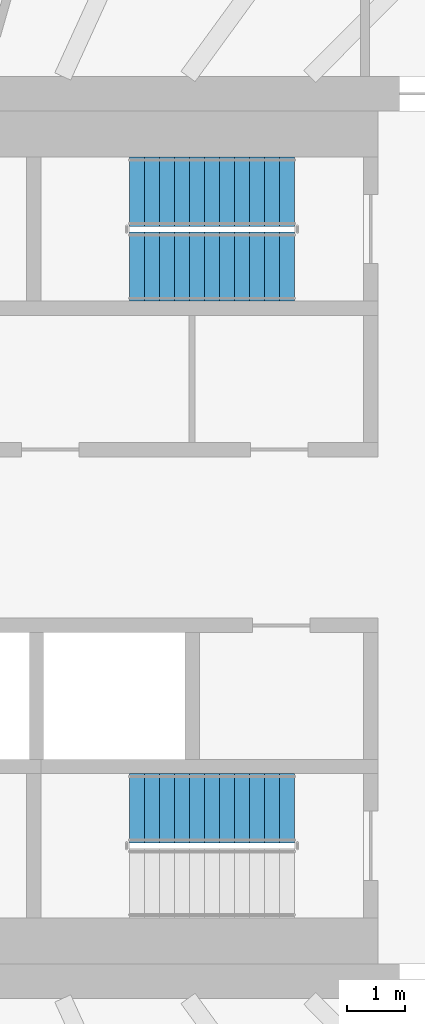
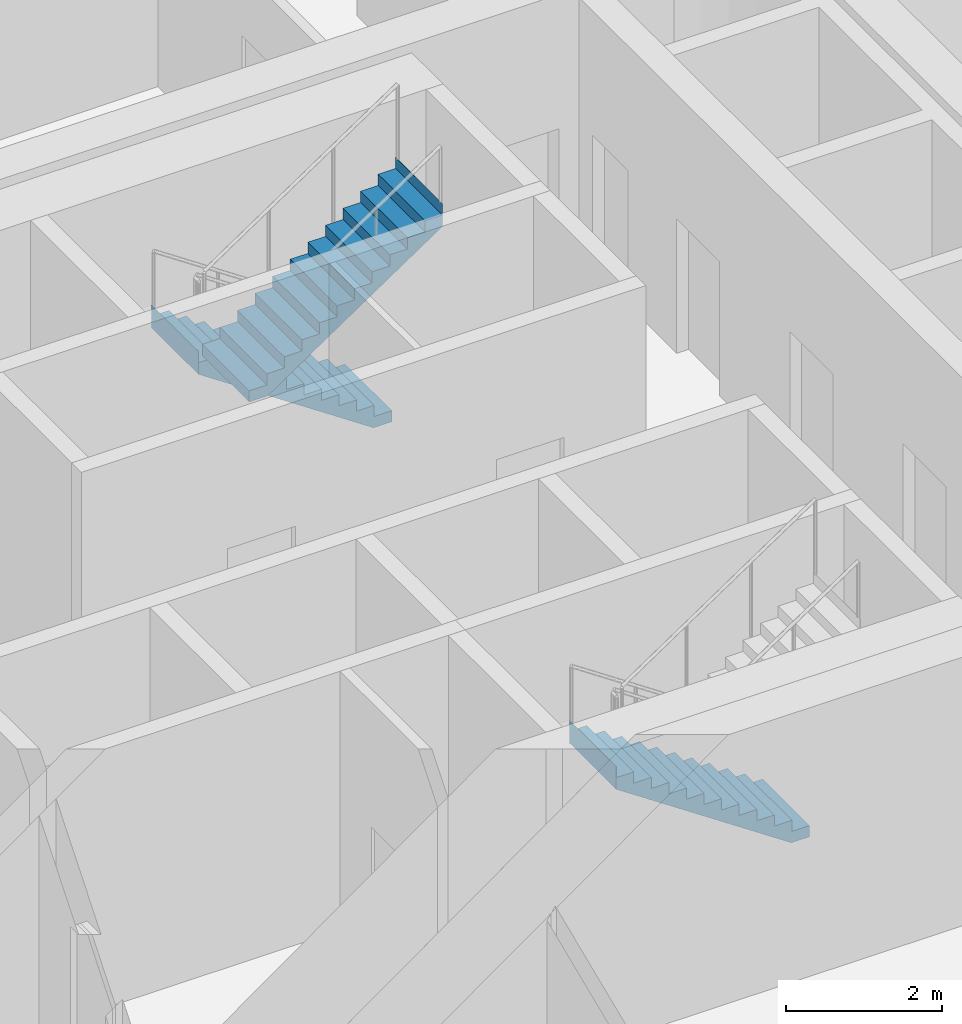
# One storey, part 19 of 25: 3 stair flights, 2 elements without a shape of their own.
"""IFC4 building model written with IfcOpenShell, lengths in metres."""

import ifcopenshell
import ifcopenshell.guid

model = None  # the IFC model being written
_history = None  # IfcOwnerHistory: only IFC2X3 demands one
_inside = {}  # id of a spatial element -> (the spatial element, [elements in it])
_under = {}  # id of a project, library or spatial element -> (it, [spatial elements below it])
_declared = {}  # id of a project -> (the project, [libraries it declares])
_typed = {}  # id of a type object -> (the type object, [elements of that type])
_made_of = {}  # id of a material, layer set ... -> (it, [elements and type objects made of it])


def new_model(schema):
    """Start an empty IFC model of exactly this schema.

    Asked for "IFC4X3", IfcOpenShell would pick the latest addendum, in which some entities
    have other attributes; the version numbers below select the first issue.
    IFC2X3 requires an IfcOwnerHistory on every rooted entity: one is made here for all.
    """
    global model, _history
    if schema == "IFC4X3":
        model = ifcopenshell.file(schema_version=(4, 3, 0, 0))
    else:
        model = ifcopenshell.file(schema=schema)
    _inside.clear()
    _under.clear()
    _declared.clear()
    _typed.clear()
    _made_of.clear()
    _history = None
    if model.schema == "IFC2X3":
        org = make("IfcOrganization", Name="unknown")
        user = make(
            "IfcPersonAndOrganization",
            ThePerson=make("IfcPerson", FamilyName="unknown"),
            TheOrganization=org,
        )
        app = make(
            "IfcApplication",
            ApplicationDeveloper=org,
            Version="unknown",
            ApplicationFullName="unknown",
            ApplicationIdentifier="unknown",
        )
        _history = make(
            "IfcOwnerHistory",
            OwningUser=user,
            OwningApplication=app,
            ChangeAction="ADDED",
            CreationDate=0,
        )
    return model


def make(cls, **values):
    """One entity of the class cls with the attributes given. An attribute that is None is left unset."""
    return model.create_entity(
        cls, **{name: value for name, value in values.items() if value is not None}
    )


def rooted(cls, **values):
    """An entity with a GlobalId (a new one), such as an element, a storey or a relation."""
    return make(cls, GlobalId=ifcopenshell.guid.new(), OwnerHistory=_history, **values)


def si_unit(unit_type, name, prefix=None):
    """IfcSIUnit, for example si_unit("LENGTHUNIT", "METRE", prefix="MILLI")."""
    return make("IfcSIUnit", UnitType=unit_type, Prefix=prefix, Name=name)


def assignment(units):
    """IfcUnitAssignment: the units of a project."""
    return None if units is None else make("IfcUnitAssignment", Units=units)


def point(xyz):
    """IfcCartesianPoint."""
    return None if xyz is None else make("IfcCartesianPoint", Coordinates=xyz)


def direction(xyz):
    """IfcDirection."""
    return None if xyz is None else make("IfcDirection", DirectionRatios=xyz)


def frame(location, z_axis=None, x_axis=None):
    """IfcAxis2Placement3D, a coordinate frame: its origin and axes. An axis left out is left unset."""
    return make(
        "IfcAxis2Placement3D",
        Location=point(location),
        Axis=direction(z_axis),
        RefDirection=direction(x_axis),
    )


def origin():
    """The frame at (0, 0, 0) with its axes left unset."""
    return frame((0.0, 0.0, 0.0))


def place(relative_to, where):
    """IfcLocalPlacement: puts the frame where relative to a parent placement (None: the world)."""
    return make(
        "IfcLocalPlacement", PlacementRelTo=relative_to, RelativePlacement=where
    )


def context(
    kind, dimensions, precision=None, world=None, true_north=None, identifier=None
):
    """IfcGeometricRepresentationContext, for example the 3D "Model" context."""
    return make(
        "IfcGeometricRepresentationContext",
        ContextIdentifier=identifier,
        ContextType=kind,
        CoordinateSpaceDimension=dimensions,
        Precision=precision,
        WorldCoordinateSystem=world,
        TrueNorth=true_north,
    )


def subcontext(parent, identifier, kind, view, scale=None):
    """IfcGeometricRepresentationSubContext, for example "Body" below "Model"."""
    return make(
        "IfcGeometricRepresentationSubContext",
        ContextIdentifier=identifier,
        ContextType=kind,
        ParentContext=parent,
        TargetScale=scale,
        TargetView=view,
    )


def project(units=None, contexts=None):
    """IfcProject with its units and contexts."""
    return rooted(
        "IfcProject",
        Name="project",
        RepresentationContexts=contexts,
        UnitsInContext=assignment(units),
    )


def spatial(cls, under=None, at=None, **own):
    """A site, building, storey or space (cls), placed at a placement, below another one or the project."""
    s = rooted(cls, ObjectPlacement=at, **own)
    if under is not None:
        _under.setdefault(under.id(), (under, []))[1].append(s)
    return s


def point_list(points):
    """IfcCartesianPointList2D or 3D."""
    cls = (
        "IfcCartesianPointList2D" if len(points[0]) == 2 else "IfcCartesianPointList3D"
    )
    return make(cls, CoordList=points)


def triangles(points, corners, closed=None, point_numbers=None):
    """IfcTriangulatedFaceSet: each triangle names its three corners, points numbered from 1."""
    return make(
        "IfcTriangulatedFaceSet",
        Coordinates=point_list(points),
        Closed=closed,
        CoordIndex=corners,
        PnIndex=point_numbers,
    )


def shape(context_of_items, identifier, shape_type, items):
    """IfcShapeRepresentation: the items that make up one representation, for example the "Body"."""
    return make(
        "IfcShapeRepresentation",
        ContextOfItems=context_of_items,
        RepresentationIdentifier=identifier,
        RepresentationType=shape_type,
        Items=items,
    )


def material(Name=None, Category=None):
    """IfcMaterial."""
    return make("IfcMaterial", Name=Name, Category=Category)


def made_of(thing, what):
    """Note that an element or type object is made of a material, layer set ...; save() writes the relation."""
    if what is not None:
        _made_of.setdefault(what.id(), (what, []))[1].append(thing)
    return thing


def type_object(cls, material=None, **own):
    """A type object (cls), such as IfcWallType, which elements share."""
    return made_of(rooted(cls, **own), material)


def element(
    cls,
    number,
    at=None,
    inside=None,
    cuts=None,
    type_object=None,
    material=None,
    context=None,
    identifier="Body",
    shape_type=None,
    held_by="IfcProductDefinitionShape",
    body=None,
    shapes=None,
    **own,
):
    """One element of the class cls, such as IfcWall. Its Tag is "e" and its number.

    at: its placement. inside: the storey or other place that contains it. cuts: it is an
    opening in that element (IfcRelVoidsElement). A single representation is given by context,
    identifier, shape_type and body (its items); several are given by shapes. held_by: the class
    of the entity that holds the representations. save() writes the other relations.
    """
    e = rooted(cls, Tag="e%d" % number, ObjectPlacement=at, **own)
    if body is not None:
        shapes = [shape(context, identifier, shape_type, body)]
    if shapes is not None:
        e.Representation = make(held_by, Representations=shapes)
    if inside is not None:
        _inside.setdefault(inside.id(), (inside, []))[1].append(e)
    if cuts is not None:
        rooted(
            "IfcRelVoidsElement", RelatingBuildingElement=cuts, RelatedOpeningElement=e
        )
    if type_object is not None:
        _typed.setdefault(type_object.id(), (type_object, []))[1].append(e)
    return made_of(e, material)


def aggregate(whole, parts):
    """IfcRelAggregates: a whole, such as a stair, and the parts it consists of."""
    return rooted("IfcRelAggregates", RelatingObject=whole, RelatedObjects=parts)


def save(model, path):
    """Write the relations noted so far, then the file.

    IfcRelAggregates (storeys below a building ...), IfcRelContainedInSpatialStructure (elements
    in a storey), IfcRelDefinesByType, IfcRelAssociatesMaterial and IfcRelDeclares: one each for
    every whole, place, type object, material and project.
    """
    for whole, parts in _under.values():
        aggregate(whole, parts)
    for where, things in _inside.values():
        rooted(
            "IfcRelContainedInSpatialStructure",
            RelatedElements=things,
            RelatingStructure=where,
        )
    for kind, things in _typed.values():
        rooted("IfcRelDefinesByType", RelatedObjects=things, RelatingType=kind)
    for what, things in _made_of.values():
        rooted("IfcRelAssociatesMaterial", RelatedObjects=things, RelatingMaterial=what)
    for by, libraries in _declared.values():
        rooted("IfcRelDeclares", RelatingContext=by, RelatedDefinitions=libraries)
    model.write(path)


model = new_model("IFC4")

# Units and contexts
model_context = context("Model", 3, precision=1e-05, world=origin(), true_north=direction((0.0, 1.0)))
body_context = subcontext(model_context, "Body", "Model", "MODEL_VIEW")
ifc_project = project(units=[si_unit("LENGTHUNIT", "METRE"), si_unit("AREAUNIT", "SQUARE_METRE"), si_unit("VOLUMEUNIT", "CUBIC_METRE"), si_unit("PLANEANGLEUNIT", "RADIAN"), si_unit("MASSUNIT", "GRAM", prefix="KILO")], contexts=[model_context])

# Site, building, storey
site_placement = place(None, origin())
site = spatial("IfcSite", under=ifc_project, at=site_placement, CompositionType="ELEMENT")
building_placement = place(site_placement, origin())
building = spatial("IfcBuilding", under=site, at=building_placement, Name="Sahrelin Media Tower", CompositionType="ELEMENT")
storey_placement = place(building_placement, frame((0.0, 0.0, 63.0)))
storey = spatial("IfcBuildingStorey", under=building, at=storey_placement, Name="L10", CompositionType="ELEMENT", Elevation=63.0)

# Stair, stair flights
ifc_material = material(Name="Concrete C40/50", Category="concrete")
stair_type = type_object("IfcStairType", Name="Exit stair 1200", PredefinedType="HALF_TURN_STAIR", material=ifc_material)
placement = place(storey_placement, origin())
stair_1 = element("IfcStair", 1, at=placement, inside=storey, type_object=stair_type, Name="L10 Exit stair ST3", PredefinedType="HALF_TURN_STAIR")
stair_flight_type = type_object("IfcStairFlightType", Name="Stair flight 1200", PredefinedType="STRAIGHT", material=ifc_material)
stair_flight_1_placement = place(storey_placement, frame((7.675048828125, 6.0, 0.0), z_axis=(0.0, 0.0, 1.0), x_axis=(-1.0, 0.0, 0.0)))
stair_flight_1 = element("IfcStairFlight", 2, at=stair_flight_1_placement, type_object=stair_flight_type, Name="ST3 flight 1", NumberOfRisers=12, NumberOfTreads=11, PredefinedType="STRAIGHT", RiserHeight=0.175, TreadLength=0.26, context=body_context, shape_type="Tessellation", body=[
    triangles([(0.2685546875, 0.60009765625, 0.0), (0.2685546875, 0.300048828125, 0.0), (0.2685546875, 0.0, 0.0), (0.2685546875, -0.300048828125, 0.0), (0.2685546875, -0.60009765625, 0.0), (2.860107421875, 0.60009765625, 1.744384765625), (2.860107421875, 0.300048828125, 1.744384765625), (2.860107421875, 0.0, 1.744384765625), (2.860107421875, -0.300048828125, 1.744384765625), (2.860107421875, -0.60009765625, 1.744384765625), (2.860107421875, 0.60009765625, 2.10009765625), (2.860107421875, 0.300048828125, 2.10009765625), (2.860107421875, 0.0, 2.10009765625), (2.860107421875, -0.300048828125, 2.10009765625), (2.860107421875, -0.60009765625, 2.10009765625), (2.85791015625, 0.60009765625, 2.10009765625), (2.85791015625, 0.300048828125, 2.10009765625), (2.85791015625, 0.0, 2.10009765625), (2.85791015625, -0.300048828125, 2.10009765625), (2.85791015625, -0.60009765625, 2.10009765625), (2.85791015625, 0.60009765625, 1.925048828125), (2.85791015625, 0.300048828125, 1.925048828125), (2.85791015625, 0.0, 1.925048828125), (2.85791015625, -0.300048828125, 1.925048828125), (2.85791015625, -0.60009765625, 1.925048828125), (2.60009765625, 0.60009765625, 1.925048828125), (2.60009765625, 0.300048828125, 1.925048828125), (2.60009765625, 0.0, 1.925048828125), (2.60009765625, -0.300048828125, 1.925048828125), (2.60009765625, -0.60009765625, 1.925048828125), (2.60009765625, 0.60009765625, 1.75), (2.60009765625, 0.300048828125, 1.75), (2.60009765625, 0.0, 1.75), (2.60009765625, -0.300048828125, 1.75), (2.60009765625, -0.60009765625, 1.75), (2.340087890625, 0.60009765625, 1.75), (2.340087890625, 0.300048828125, 1.75), (2.340087890625, 0.0, 1.75), (2.340087890625, -0.300048828125, 1.75), (2.340087890625, -0.60009765625, 1.75), (2.340087890625, 0.60009765625, 1.574951171875), (2.340087890625, 0.300048828125, 1.574951171875), (2.340087890625, 0.0, 1.574951171875), (2.340087890625, -0.300048828125, 1.574951171875), (2.340087890625, -0.60009765625, 1.574951171875), (2.080078125, 0.60009765625, 1.574951171875), (2.080078125, 0.300048828125, 1.574951171875), (2.080078125, 0.0, 1.574951171875), (2.080078125, -0.300048828125, 1.574951171875), (2.080078125, -0.60009765625, 1.574951171875), (2.080078125, 0.60009765625, 1.39990234375), (2.080078125, 0.300048828125, 1.39990234375), (2.080078125, 0.0, 1.39990234375), (2.080078125, -0.300048828125, 1.39990234375), (2.080078125, -0.60009765625, 1.39990234375), (1.820068359375, 0.60009765625, 1.39990234375), (1.820068359375, 0.300048828125, 1.39990234375), (1.820068359375, 0.0, 1.39990234375), (1.820068359375, -0.300048828125, 1.39990234375), (1.820068359375, -0.60009765625, 1.39990234375), (1.820068359375, 0.60009765625, 1.22509765625), (1.820068359375, 0.300048828125, 1.22509765625), (1.820068359375, 0.0, 1.22509765625), (1.820068359375, -0.300048828125, 1.22509765625), (1.820068359375, -0.60009765625, 1.22509765625), (1.56005859375, 0.60009765625, 1.22509765625), (1.56005859375, 0.300048828125, 1.22509765625), (1.56005859375, 0.0, 1.22509765625), (1.56005859375, -0.300048828125, 1.22509765625), (1.56005859375, -0.60009765625, 1.22509765625), (1.56005859375, 0.60009765625, 1.050048828125), (1.56005859375, 0.300048828125, 1.050048828125), (1.56005859375, 0.0, 1.050048828125), (1.56005859375, -0.300048828125, 1.050048828125), (1.56005859375, -0.60009765625, 1.050048828125), (1.300048828125, 0.60009765625, 1.050048828125), (1.300048828125, 0.300048828125, 1.050048828125), (1.300048828125, 0.0, 1.050048828125), (1.300048828125, -0.300048828125, 1.050048828125), (1.300048828125, -0.60009765625, 1.050048828125), (1.300048828125, 0.60009765625, 0.875), (1.300048828125, 0.300048828125, 0.875), (1.300048828125, 0.0, 0.875), (1.300048828125, -0.300048828125, 0.875), (1.300048828125, -0.60009765625, 0.875), (1.0400390625, 0.60009765625, 0.875), (1.0400390625, 0.300048828125, 0.875), (1.0400390625, 0.0, 0.875), (1.0400390625, -0.300048828125, 0.875), (1.0400390625, -0.60009765625, 0.875), (1.0400390625, 0.60009765625, 0.699951171875), (1.0400390625, 0.300048828125, 0.699951171875), (1.0400390625, 0.0, 0.699951171875), (1.0400390625, -0.300048828125, 0.699951171875), (1.0400390625, -0.60009765625, 0.699951171875), (0.780029296875, 0.60009765625, 0.699951171875), (0.780029296875, 0.300048828125, 0.699951171875), (0.780029296875, 0.0, 0.699951171875), (0.780029296875, -0.300048828125, 0.699951171875), (0.780029296875, -0.60009765625, 0.699951171875), (0.780029296875, 0.60009765625, 0.52490234375), (0.780029296875, 0.300048828125, 0.52490234375), (0.780029296875, 0.0, 0.52490234375), (0.780029296875, -0.300048828125, 0.52490234375), (0.780029296875, -0.60009765625, 0.52490234375), (0.52001953125, 0.60009765625, 0.52490234375), (0.52001953125, 0.300048828125, 0.52490234375), (0.52001953125, 0.0, 0.52490234375), (0.52001953125, -0.300048828125, 0.52490234375), (0.52001953125, -0.60009765625, 0.52490234375), (0.52001953125, 0.60009765625, 0.35009765625), (0.52001953125, 0.300048828125, 0.35009765625), (0.52001953125, 0.0, 0.35009765625), (0.52001953125, -0.300048828125, 0.35009765625), (0.52001953125, -0.60009765625, 0.35009765625), (0.260009765625, 0.60009765625, 0.35009765625), (0.260009765625, 0.300048828125, 0.35009765625), (0.260009765625, 0.0, 0.35009765625), (0.260009765625, -0.300048828125, 0.35009765625), (0.260009765625, -0.60009765625, 0.35009765625), (0.260009765625, 0.60009765625, 0.175048828125), (0.260009765625, 0.300048828125, 0.175048828125), (0.260009765625, 0.0, 0.175048828125), (0.260009765625, -0.300048828125, 0.175048828125), (0.260009765625, -0.60009765625, 0.175048828125), (0.0, 0.60009765625, 0.175048828125), (0.0, 0.300048828125, 0.175048828125), (0.0, 0.0, 0.175048828125), (0.0, -0.300048828125, 0.175048828125), (0.0, -0.60009765625, 0.175048828125), (0.0, 0.60009765625, 0.0), (0.0, 0.300048828125, 0.0), (0.0, 0.0, 0.0), (0.0, -0.300048828125, 0.0), (0.0, -0.60009765625, 0.0)], [[1, 6, 7], [1, 7, 2], [2, 7, 8], [2, 8, 3], [3, 8, 9], [3, 9, 4], [4, 9, 10], [4, 10, 5], [6, 11, 12], [6, 12, 7], [7, 12, 13], [7, 13, 8], [8, 13, 14], [8, 14, 9], [9, 14, 15], [9, 15, 10], [11, 16, 17], [11, 17, 12], [12, 17, 18], [12, 18, 13], [13, 18, 19], [13, 19, 14], [14, 19, 20], [14, 20, 15], [16, 21, 22], [16, 22, 17], [17, 22, 23], [17, 23, 18], [18, 23, 24], [18, 24, 19], [19, 24, 25], [19, 25, 20], [21, 26, 27], [21, 27, 22], [22, 27, 28], [22, 28, 23], [23, 28, 29], [23, 29, 24], [24, 29, 30], [24, 30, 25], [26, 31, 32], [26, 32, 27], [27, 32, 33], [27, 33, 28], [28, 33, 34], [28, 34, 29], [29, 34, 35], [29, 35, 30], [31, 36, 37], [31, 37, 32], [32, 37, 38], [32, 38, 33], [33, 38, 39], [33, 39, 34], [34, 39, 40], [34, 40, 35], [36, 41, 42], [36, 42, 37], [37, 42, 43], [37, 43, 38], [38, 43, 44], [38, 44, 39], [39, 44, 45], [39, 45, 40], [41, 46, 47], [41, 47, 42], [42, 47, 48], [42, 48, 43], [43, 48, 49], [43, 49, 44], [44, 49, 50], [44, 50, 45], [46, 51, 52], [46, 52, 47], [47, 52, 53], [47, 53, 48], [48, 53, 54], [48, 54, 49], [49, 54, 55], [49, 55, 50], [51, 56, 57], [51, 57, 52], [52, 57, 58], [52, 58, 53], [53, 58, 59], [53, 59, 54], [54, 59, 60], [54, 60, 55], [56, 61, 62], [56, 62, 57], [57, 62, 63], [57, 63, 58], [58, 63, 64], [58, 64, 59], [59, 64, 65], [59, 65, 60], [61, 66, 67], [61, 67, 62], [62, 67, 68], [62, 68, 63], [63, 68, 69], [63, 69, 64], [64, 69, 70], [64, 70, 65], [66, 71, 72], [66, 72, 67], [67, 72, 73], [67, 73, 68], [68, 73, 74], [68, 74, 69], [69, 74, 75], [69, 75, 70], [71, 76, 77], [71, 77, 72], [72, 77, 78], [72, 78, 73], [73, 78, 79], [73, 79, 74], [74, 79, 80], [74, 80, 75], [76, 81, 82], [76, 82, 77], [77, 82, 83], [77, 83, 78], [78, 83, 84], [78, 84, 79], [79, 84, 85], [79, 85, 80], [81, 86, 87], [81, 87, 82], [82, 87, 88], [82, 88, 83], [83, 88, 89], [83, 89, 84], [84, 89, 90], [84, 90, 85], [86, 91, 92], [86, 92, 87], [87, 92, 93], [87, 93, 88], [88, 93, 94], [88, 94, 89], [89, 94, 95], [89, 95, 90], [91, 96, 97], [91, 97, 92], [92, 97, 98], [92, 98, 93], [93, 98, 99], [93, 99, 94], [94, 99, 100], [94, 100, 95], [96, 101, 102], [96, 102, 97], [97, 102, 103], [97, 103, 98], [98, 103, 104], [98, 104, 99], [99, 104, 105], [99, 105, 100], [101, 106, 107], [101, 107, 102], [102, 107, 108], [102, 108, 103], [103, 108, 109], [103, 109, 104], [104, 109, 110], [104, 110, 105], [106, 111, 112], [106, 112, 107], [107, 112, 113], [107, 113, 108], [108, 113, 114], [108, 114, 109], [109, 114, 115], [109, 115, 110], [111, 116, 117], [111, 117, 112], [112, 117, 118], [112, 118, 113], [113, 118, 119], [113, 119, 114], [114, 119, 120], [114, 120, 115], [116, 121, 122], [116, 122, 117], [117, 122, 123], [117, 123, 118], [118, 123, 124], [118, 124, 119], [119, 124, 125], [119, 125, 120], [121, 126, 127], [121, 127, 122], [122, 127, 128], [122, 128, 123], [123, 128, 129], [123, 129, 124], [124, 129, 130], [124, 130, 125], [126, 131, 132], [126, 132, 127], [127, 132, 133], [127, 133, 128], [128, 133, 134], [128, 134, 129], [129, 134, 135], [129, 135, 130], [131, 1, 2], [131, 2, 132], [132, 2, 3], [132, 3, 133], [133, 3, 4], [133, 4, 134], [134, 4, 5], [134, 5, 135], [125, 130, 135], [121, 131, 126], [125, 115, 120], [121, 116, 111], [115, 105, 110], [111, 106, 101], [105, 95, 100], [101, 96, 91], [95, 85, 90], [91, 86, 81], [85, 75, 80], [81, 76, 71], [75, 65, 70], [71, 66, 61], [65, 55, 60], [61, 56, 51], [55, 45, 50], [51, 46, 41], [45, 35, 40], [41, 36, 31], [35, 25, 30], [31, 26, 21], [25, 15, 20], [21, 16, 11], [135, 5, 125], [131, 121, 1], [95, 105, 5], [91, 1, 101], [5, 10, 75], [1, 71, 6], [10, 35, 45], [6, 41, 31], [25, 10, 15], [21, 11, 6], [115, 125, 5], [111, 1, 121], [75, 85, 5], [71, 1, 81], [35, 10, 25], [31, 21, 6], [105, 115, 5], [101, 1, 111], [45, 55, 10], [41, 6, 51], [85, 95, 5], [81, 1, 91], [65, 10, 55], [61, 51, 6], [10, 65, 75], [6, 71, 61]], closed=True),
])
stair_flight_2_placement = place(storey_placement, frame((4.81494140625, 4.699951171875, 2.10009765625), z_axis=(0.0, 0.0, 1.0), x_axis=(1.0, 0.0, 0.0)))
stair_flight_2 = element("IfcStairFlight", 3, at=stair_flight_2_placement, type_object=stair_flight_type, Name="ST3 flight 2", NumberOfRisers=12, NumberOfTreads=11, PredefinedType="STRAIGHT", RiserHeight=0.175, TreadLength=0.26, context=body_context, shape_type="Tessellation", body=[
    triangles([(0.2685546875, 0.60009765625, 0.0), (0.2685546875, 0.300048828125, 0.0), (0.2685546875, 0.0, 0.0), (0.2685546875, -0.300048828125, 0.0), (0.2685546875, -0.60009765625, 0.0), (2.860107421875, 0.60009765625, 1.744384765625), (2.860107421875, 0.300048828125, 1.744384765625), (2.860107421875, 0.0, 1.744384765625), (2.860107421875, -0.300048828125, 1.744384765625), (2.860107421875, -0.60009765625, 1.744384765625), (2.860107421875, 0.60009765625, 2.10009765625), (2.860107421875, 0.300048828125, 2.10009765625), (2.860107421875, 0.0, 2.10009765625), (2.860107421875, -0.300048828125, 2.10009765625), (2.860107421875, -0.60009765625, 2.10009765625), (2.85791015625, 0.60009765625, 2.10009765625), (2.85791015625, 0.300048828125, 2.10009765625), (2.85791015625, 0.0, 2.10009765625), (2.85791015625, -0.300048828125, 2.10009765625), (2.85791015625, -0.60009765625, 2.10009765625), (2.85791015625, 0.60009765625, 1.925048828125), (2.85791015625, 0.300048828125, 1.925048828125), (2.85791015625, 0.0, 1.925048828125), (2.85791015625, -0.300048828125, 1.925048828125), (2.85791015625, -0.60009765625, 1.925048828125), (2.60009765625, 0.60009765625, 1.925048828125), (2.60009765625, 0.300048828125, 1.925048828125), (2.60009765625, 0.0, 1.925048828125), (2.60009765625, -0.300048828125, 1.925048828125), (2.60009765625, -0.60009765625, 1.925048828125), (2.60009765625, 0.60009765625, 1.75), (2.60009765625, 0.300048828125, 1.75), (2.60009765625, 0.0, 1.75), (2.60009765625, -0.300048828125, 1.75), (2.60009765625, -0.60009765625, 1.75), (2.340087890625, 0.60009765625, 1.75), (2.340087890625, 0.300048828125, 1.75), (2.340087890625, 0.0, 1.75), (2.340087890625, -0.300048828125, 1.75), (2.340087890625, -0.60009765625, 1.75), (2.340087890625, 0.60009765625, 1.574951171875), (2.340087890625, 0.300048828125, 1.574951171875), (2.340087890625, 0.0, 1.574951171875), (2.340087890625, -0.300048828125, 1.574951171875), (2.340087890625, -0.60009765625, 1.574951171875), (2.080078125, 0.60009765625, 1.574951171875), (2.080078125, 0.300048828125, 1.574951171875), (2.080078125, 0.0, 1.574951171875), (2.080078125, -0.300048828125, 1.574951171875), (2.080078125, -0.60009765625, 1.574951171875), (2.080078125, 0.60009765625, 1.39990234375), (2.080078125, 0.300048828125, 1.39990234375), (2.080078125, 0.0, 1.39990234375), (2.080078125, -0.300048828125, 1.39990234375), (2.080078125, -0.60009765625, 1.39990234375), (1.820068359375, 0.60009765625, 1.39990234375), (1.820068359375, 0.300048828125, 1.39990234375), (1.820068359375, 0.0, 1.39990234375), (1.820068359375, -0.300048828125, 1.39990234375), (1.820068359375, -0.60009765625, 1.39990234375), (1.820068359375, 0.60009765625, 1.22509765625), (1.820068359375, 0.300048828125, 1.22509765625), (1.820068359375, 0.0, 1.22509765625), (1.820068359375, -0.300048828125, 1.22509765625), (1.820068359375, -0.60009765625, 1.22509765625), (1.56005859375, 0.60009765625, 1.22509765625), (1.56005859375, 0.300048828125, 1.22509765625), (1.56005859375, 0.0, 1.22509765625), (1.56005859375, -0.300048828125, 1.22509765625), (1.56005859375, -0.60009765625, 1.22509765625), (1.56005859375, 0.60009765625, 1.050048828125), (1.56005859375, 0.300048828125, 1.050048828125), (1.56005859375, 0.0, 1.050048828125), (1.56005859375, -0.300048828125, 1.050048828125), (1.56005859375, -0.60009765625, 1.050048828125), (1.300048828125, 0.60009765625, 1.050048828125), (1.300048828125, 0.300048828125, 1.050048828125), (1.300048828125, 0.0, 1.050048828125), (1.300048828125, -0.300048828125, 1.050048828125), (1.300048828125, -0.60009765625, 1.050048828125), (1.300048828125, 0.60009765625, 0.875), (1.300048828125, 0.300048828125, 0.875), (1.300048828125, 0.0, 0.875), (1.300048828125, -0.300048828125, 0.875), (1.300048828125, -0.60009765625, 0.875), (1.0400390625, 0.60009765625, 0.875), (1.0400390625, 0.300048828125, 0.875), (1.0400390625, 0.0, 0.875), (1.0400390625, -0.300048828125, 0.875), (1.0400390625, -0.60009765625, 0.875), (1.0400390625, 0.60009765625, 0.699951171875), (1.0400390625, 0.300048828125, 0.699951171875), (1.0400390625, 0.0, 0.699951171875), (1.0400390625, -0.300048828125, 0.699951171875), (1.0400390625, -0.60009765625, 0.699951171875), (0.780029296875, 0.60009765625, 0.699951171875), (0.780029296875, 0.300048828125, 0.699951171875), (0.780029296875, 0.0, 0.699951171875), (0.780029296875, -0.300048828125, 0.699951171875), (0.780029296875, -0.60009765625, 0.699951171875), (0.780029296875, 0.60009765625, 0.52490234375), (0.780029296875, 0.300048828125, 0.52490234375), (0.780029296875, 0.0, 0.52490234375), (0.780029296875, -0.300048828125, 0.52490234375), (0.780029296875, -0.60009765625, 0.52490234375), (0.52001953125, 0.60009765625, 0.52490234375), (0.52001953125, 0.300048828125, 0.52490234375), (0.52001953125, 0.0, 0.52490234375), (0.52001953125, -0.300048828125, 0.52490234375), (0.52001953125, -0.60009765625, 0.52490234375), (0.52001953125, 0.60009765625, 0.35009765625), (0.52001953125, 0.300048828125, 0.35009765625), (0.52001953125, 0.0, 0.35009765625), (0.52001953125, -0.300048828125, 0.35009765625), (0.52001953125, -0.60009765625, 0.35009765625), (0.260009765625, 0.60009765625, 0.35009765625), (0.260009765625, 0.300048828125, 0.35009765625), (0.260009765625, 0.0, 0.35009765625), (0.260009765625, -0.300048828125, 0.35009765625), (0.260009765625, -0.60009765625, 0.35009765625), (0.260009765625, 0.60009765625, 0.175048828125), (0.260009765625, 0.300048828125, 0.175048828125), (0.260009765625, 0.0, 0.175048828125), (0.260009765625, -0.300048828125, 0.175048828125), (0.260009765625, -0.60009765625, 0.175048828125), (0.0, 0.60009765625, 0.175048828125), (0.0, 0.300048828125, 0.175048828125), (0.0, 0.0, 0.175048828125), (0.0, -0.300048828125, 0.175048828125), (0.0, -0.60009765625, 0.175048828125), (0.0, 0.60009765625, 0.0), (0.0, 0.300048828125, 0.0), (0.0, 0.0, 0.0), (0.0, -0.300048828125, 0.0), (0.0, -0.60009765625, 0.0)], [[1, 6, 7], [1, 7, 2], [2, 7, 8], [2, 8, 3], [3, 8, 9], [3, 9, 4], [4, 9, 10], [4, 10, 5], [6, 11, 12], [6, 12, 7], [7, 12, 13], [7, 13, 8], [8, 13, 14], [8, 14, 9], [9, 14, 15], [9, 15, 10], [11, 16, 17], [11, 17, 12], [12, 17, 18], [12, 18, 13], [13, 18, 19], [13, 19, 14], [14, 19, 20], [14, 20, 15], [16, 21, 22], [16, 22, 17], [17, 22, 23], [17, 23, 18], [18, 23, 24], [18, 24, 19], [19, 24, 25], [19, 25, 20], [21, 26, 27], [21, 27, 22], [22, 27, 28], [22, 28, 23], [23, 28, 29], [23, 29, 24], [24, 29, 30], [24, 30, 25], [26, 31, 32], [26, 32, 27], [27, 32, 33], [27, 33, 28], [28, 33, 34], [28, 34, 29], [29, 34, 35], [29, 35, 30], [31, 36, 37], [31, 37, 32], [32, 37, 38], [32, 38, 33], [33, 38, 39], [33, 39, 34], [34, 39, 40], [34, 40, 35], [36, 41, 42], [36, 42, 37], [37, 42, 43], [37, 43, 38], [38, 43, 44], [38, 44, 39], [39, 44, 45], [39, 45, 40], [41, 46, 47], [41, 47, 42], [42, 47, 48], [42, 48, 43], [43, 48, 49], [43, 49, 44], [44, 49, 50], [44, 50, 45], [46, 51, 52], [46, 52, 47], [47, 52, 53], [47, 53, 48], [48, 53, 54], [48, 54, 49], [49, 54, 55], [49, 55, 50], [51, 56, 57], [51, 57, 52], [52, 57, 58], [52, 58, 53], [53, 58, 59], [53, 59, 54], [54, 59, 60], [54, 60, 55], [56, 61, 62], [56, 62, 57], [57, 62, 63], [57, 63, 58], [58, 63, 64], [58, 64, 59], [59, 64, 65], [59, 65, 60], [61, 66, 67], [61, 67, 62], [62, 67, 68], [62, 68, 63], [63, 68, 69], [63, 69, 64], [64, 69, 70], [64, 70, 65], [66, 71, 72], [66, 72, 67], [67, 72, 73], [67, 73, 68], [68, 73, 74], [68, 74, 69], [69, 74, 75], [69, 75, 70], [71, 76, 77], [71, 77, 72], [72, 77, 78], [72, 78, 73], [73, 78, 79], [73, 79, 74], [74, 79, 80], [74, 80, 75], [76, 81, 82], [76, 82, 77], [77, 82, 83], [77, 83, 78], [78, 83, 84], [78, 84, 79], [79, 84, 85], [79, 85, 80], [81, 86, 87], [81, 87, 82], [82, 87, 88], [82, 88, 83], [83, 88, 89], [83, 89, 84], [84, 89, 90], [84, 90, 85], [86, 91, 92], [86, 92, 87], [87, 92, 93], [87, 93, 88], [88, 93, 94], [88, 94, 89], [89, 94, 95], [89, 95, 90], [91, 96, 97], [91, 97, 92], [92, 97, 98], [92, 98, 93], [93, 98, 99], [93, 99, 94], [94, 99, 100], [94, 100, 95], [96, 101, 102], [96, 102, 97], [97, 102, 103], [97, 103, 98], [98, 103, 104], [98, 104, 99], [99, 104, 105], [99, 105, 100], [101, 106, 107], [101, 107, 102], [102, 107, 108], [102, 108, 103], [103, 108, 109], [103, 109, 104], [104, 109, 110], [104, 110, 105], [106, 111, 112], [106, 112, 107], [107, 112, 113], [107, 113, 108], [108, 113, 114], [108, 114, 109], [109, 114, 115], [109, 115, 110], [111, 116, 117], [111, 117, 112], [112, 117, 118], [112, 118, 113], [113, 118, 119], [113, 119, 114], [114, 119, 120], [114, 120, 115], [116, 121, 122], [116, 122, 117], [117, 122, 123], [117, 123, 118], [118, 123, 124], [118, 124, 119], [119, 124, 125], [119, 125, 120], [121, 126, 127], [121, 127, 122], [122, 127, 128], [122, 128, 123], [123, 128, 129], [123, 129, 124], [124, 129, 130], [124, 130, 125], [126, 131, 132], [126, 132, 127], [127, 132, 133], [127, 133, 128], [128, 133, 134], [128, 134, 129], [129, 134, 135], [129, 135, 130], [131, 1, 2], [131, 2, 132], [132, 2, 3], [132, 3, 133], [133, 3, 4], [133, 4, 134], [134, 4, 5], [134, 5, 135], [125, 130, 135], [121, 131, 126], [125, 115, 120], [121, 116, 111], [115, 105, 110], [111, 106, 101], [105, 95, 100], [101, 96, 91], [95, 85, 90], [91, 86, 81], [85, 75, 80], [81, 76, 71], [75, 65, 70], [71, 66, 61], [65, 55, 60], [61, 56, 51], [55, 45, 50], [51, 46, 41], [45, 35, 40], [41, 36, 31], [35, 25, 30], [31, 26, 21], [25, 15, 20], [21, 16, 11], [135, 5, 125], [131, 121, 1], [95, 105, 5], [91, 1, 101], [5, 10, 75], [1, 71, 6], [10, 35, 45], [6, 41, 31], [25, 10, 15], [21, 11, 6], [115, 125, 5], [111, 1, 121], [75, 85, 5], [71, 1, 81], [35, 10, 25], [31, 21, 6], [105, 115, 5], [101, 1, 111], [45, 55, 10], [41, 6, 51], [85, 95, 5], [81, 1, 91], [65, 10, 55], [61, 51, 6], [10, 65, 75], [6, 71, 61]], closed=True),
])
aggregate(stair_1, [stair_flight_1, stair_flight_2])

# Stair, stair flight
stair_2 = element("IfcStair", 4, at=placement, inside=storey, type_object=stair_type, Name="L10 Exit stair ST2", PredefinedType="HALF_TURN_STAIR")
stair_flight_3_placement = place(storey_placement, frame((7.675048828125, -4.699951171875, 0.0), z_axis=(0.0, 0.0, 1.0), x_axis=(-1.0, 0.0, 0.0)))
stair_flight_3 = element("IfcStairFlight", 5, at=stair_flight_3_placement, type_object=stair_flight_type, Name="ST2 flight 1", NumberOfRisers=12, NumberOfTreads=11, PredefinedType="STRAIGHT", RiserHeight=0.175, TreadLength=0.26, context=body_context, shape_type="Tessellation", body=[
    triangles([(0.2685546875, 0.60009765625, 0.0), (0.2685546875, 0.300048828125, 0.0), (0.2685546875, 0.0, 0.0), (0.2685546875, -0.300048828125, 0.0), (0.2685546875, -0.60009765625, 0.0), (2.860107421875, 0.60009765625, 1.744384765625), (2.860107421875, 0.300048828125, 1.744384765625), (2.860107421875, 0.0, 1.744384765625), (2.860107421875, -0.300048828125, 1.744384765625), (2.860107421875, -0.60009765625, 1.744384765625), (2.860107421875, 0.60009765625, 2.10009765625), (2.860107421875, 0.300048828125, 2.10009765625), (2.860107421875, 0.0, 2.10009765625), (2.860107421875, -0.300048828125, 2.10009765625), (2.860107421875, -0.60009765625, 2.10009765625), (2.85791015625, 0.60009765625, 2.10009765625), (2.85791015625, 0.300048828125, 2.10009765625), (2.85791015625, 0.0, 2.10009765625), (2.85791015625, -0.300048828125, 2.10009765625), (2.85791015625, -0.60009765625, 2.10009765625), (2.85791015625, 0.60009765625, 1.925048828125), (2.85791015625, 0.300048828125, 1.925048828125), (2.85791015625, 0.0, 1.925048828125), (2.85791015625, -0.300048828125, 1.925048828125), (2.85791015625, -0.60009765625, 1.925048828125), (2.60009765625, 0.60009765625, 1.925048828125), (2.60009765625, 0.300048828125, 1.925048828125), (2.60009765625, 0.0, 1.925048828125), (2.60009765625, -0.300048828125, 1.925048828125), (2.60009765625, -0.60009765625, 1.925048828125), (2.60009765625, 0.60009765625, 1.75), (2.60009765625, 0.300048828125, 1.75), (2.60009765625, 0.0, 1.75), (2.60009765625, -0.300048828125, 1.75), (2.60009765625, -0.60009765625, 1.75), (2.340087890625, 0.60009765625, 1.75), (2.340087890625, 0.300048828125, 1.75), (2.340087890625, 0.0, 1.75), (2.340087890625, -0.300048828125, 1.75), (2.340087890625, -0.60009765625, 1.75), (2.340087890625, 0.60009765625, 1.574951171875), (2.340087890625, 0.300048828125, 1.574951171875), (2.340087890625, 0.0, 1.574951171875), (2.340087890625, -0.300048828125, 1.574951171875), (2.340087890625, -0.60009765625, 1.574951171875), (2.080078125, 0.60009765625, 1.574951171875), (2.080078125, 0.300048828125, 1.574951171875), (2.080078125, 0.0, 1.574951171875), (2.080078125, -0.300048828125, 1.574951171875), (2.080078125, -0.60009765625, 1.574951171875), (2.080078125, 0.60009765625, 1.39990234375), (2.080078125, 0.300048828125, 1.39990234375), (2.080078125, 0.0, 1.39990234375), (2.080078125, -0.300048828125, 1.39990234375), (2.080078125, -0.60009765625, 1.39990234375), (1.820068359375, 0.60009765625, 1.39990234375), (1.820068359375, 0.300048828125, 1.39990234375), (1.820068359375, 0.0, 1.39990234375), (1.820068359375, -0.300048828125, 1.39990234375), (1.820068359375, -0.60009765625, 1.39990234375), (1.820068359375, 0.60009765625, 1.22509765625), (1.820068359375, 0.300048828125, 1.22509765625), (1.820068359375, 0.0, 1.22509765625), (1.820068359375, -0.300048828125, 1.22509765625), (1.820068359375, -0.60009765625, 1.22509765625), (1.56005859375, 0.60009765625, 1.22509765625), (1.56005859375, 0.300048828125, 1.22509765625), (1.56005859375, 0.0, 1.22509765625), (1.56005859375, -0.300048828125, 1.22509765625), (1.56005859375, -0.60009765625, 1.22509765625), (1.56005859375, 0.60009765625, 1.050048828125), (1.56005859375, 0.300048828125, 1.050048828125), (1.56005859375, 0.0, 1.050048828125), (1.56005859375, -0.300048828125, 1.050048828125), (1.56005859375, -0.60009765625, 1.050048828125), (1.300048828125, 0.60009765625, 1.050048828125), (1.300048828125, 0.300048828125, 1.050048828125), (1.300048828125, 0.0, 1.050048828125), (1.300048828125, -0.300048828125, 1.050048828125), (1.300048828125, -0.60009765625, 1.050048828125), (1.300048828125, 0.60009765625, 0.875), (1.300048828125, 0.300048828125, 0.875), (1.300048828125, 0.0, 0.875), (1.300048828125, -0.300048828125, 0.875), (1.300048828125, -0.60009765625, 0.875), (1.0400390625, 0.60009765625, 0.875), (1.0400390625, 0.300048828125, 0.875), (1.0400390625, 0.0, 0.875), (1.0400390625, -0.300048828125, 0.875), (1.0400390625, -0.60009765625, 0.875), (1.0400390625, 0.60009765625, 0.699951171875), (1.0400390625, 0.300048828125, 0.699951171875), (1.0400390625, 0.0, 0.699951171875), (1.0400390625, -0.300048828125, 0.699951171875), (1.0400390625, -0.60009765625, 0.699951171875), (0.780029296875, 0.60009765625, 0.699951171875), (0.780029296875, 0.300048828125, 0.699951171875), (0.780029296875, 0.0, 0.699951171875), (0.780029296875, -0.300048828125, 0.699951171875), (0.780029296875, -0.60009765625, 0.699951171875), (0.780029296875, 0.60009765625, 0.52490234375), (0.780029296875, 0.300048828125, 0.52490234375), (0.780029296875, 0.0, 0.52490234375), (0.780029296875, -0.300048828125, 0.52490234375), (0.780029296875, -0.60009765625, 0.52490234375), (0.52001953125, 0.60009765625, 0.52490234375), (0.52001953125, 0.300048828125, 0.52490234375), (0.52001953125, 0.0, 0.52490234375), (0.52001953125, -0.300048828125, 0.52490234375), (0.52001953125, -0.60009765625, 0.52490234375), (0.52001953125, 0.60009765625, 0.35009765625), (0.52001953125, 0.300048828125, 0.35009765625), (0.52001953125, 0.0, 0.35009765625), (0.52001953125, -0.300048828125, 0.35009765625), (0.52001953125, -0.60009765625, 0.35009765625), (0.260009765625, 0.60009765625, 0.35009765625), (0.260009765625, 0.300048828125, 0.35009765625), (0.260009765625, 0.0, 0.35009765625), (0.260009765625, -0.300048828125, 0.35009765625), (0.260009765625, -0.60009765625, 0.35009765625), (0.260009765625, 0.60009765625, 0.175048828125), (0.260009765625, 0.300048828125, 0.175048828125), (0.260009765625, 0.0, 0.175048828125), (0.260009765625, -0.300048828125, 0.175048828125), (0.260009765625, -0.60009765625, 0.175048828125), (0.0, 0.60009765625, 0.175048828125), (0.0, 0.300048828125, 0.175048828125), (0.0, 0.0, 0.175048828125), (0.0, -0.300048828125, 0.175048828125), (0.0, -0.60009765625, 0.175048828125), (0.0, 0.60009765625, 0.0), (0.0, 0.300048828125, 0.0), (0.0, 0.0, 0.0), (0.0, -0.300048828125, 0.0), (0.0, -0.60009765625, 0.0)], [[1, 6, 7], [1, 7, 2], [2, 7, 8], [2, 8, 3], [3, 8, 9], [3, 9, 4], [4, 9, 10], [4, 10, 5], [6, 11, 12], [6, 12, 7], [7, 12, 13], [7, 13, 8], [8, 13, 14], [8, 14, 9], [9, 14, 15], [9, 15, 10], [11, 16, 17], [11, 17, 12], [12, 17, 18], [12, 18, 13], [13, 18, 19], [13, 19, 14], [14, 19, 20], [14, 20, 15], [16, 21, 22], [16, 22, 17], [17, 22, 23], [17, 23, 18], [18, 23, 24], [18, 24, 19], [19, 24, 25], [19, 25, 20], [21, 26, 27], [21, 27, 22], [22, 27, 28], [22, 28, 23], [23, 28, 29], [23, 29, 24], [24, 29, 30], [24, 30, 25], [26, 31, 32], [26, 32, 27], [27, 32, 33], [27, 33, 28], [28, 33, 34], [28, 34, 29], [29, 34, 35], [29, 35, 30], [31, 36, 37], [31, 37, 32], [32, 37, 38], [32, 38, 33], [33, 38, 39], [33, 39, 34], [34, 39, 40], [34, 40, 35], [36, 41, 42], [36, 42, 37], [37, 42, 43], [37, 43, 38], [38, 43, 44], [38, 44, 39], [39, 44, 45], [39, 45, 40], [41, 46, 47], [41, 47, 42], [42, 47, 48], [42, 48, 43], [43, 48, 49], [43, 49, 44], [44, 49, 50], [44, 50, 45], [46, 51, 52], [46, 52, 47], [47, 52, 53], [47, 53, 48], [48, 53, 54], [48, 54, 49], [49, 54, 55], [49, 55, 50], [51, 56, 57], [51, 57, 52], [52, 57, 58], [52, 58, 53], [53, 58, 59], [53, 59, 54], [54, 59, 60], [54, 60, 55], [56, 61, 62], [56, 62, 57], [57, 62, 63], [57, 63, 58], [58, 63, 64], [58, 64, 59], [59, 64, 65], [59, 65, 60], [61, 66, 67], [61, 67, 62], [62, 67, 68], [62, 68, 63], [63, 68, 69], [63, 69, 64], [64, 69, 70], [64, 70, 65], [66, 71, 72], [66, 72, 67], [67, 72, 73], [67, 73, 68], [68, 73, 74], [68, 74, 69], [69, 74, 75], [69, 75, 70], [71, 76, 77], [71, 77, 72], [72, 77, 78], [72, 78, 73], [73, 78, 79], [73, 79, 74], [74, 79, 80], [74, 80, 75], [76, 81, 82], [76, 82, 77], [77, 82, 83], [77, 83, 78], [78, 83, 84], [78, 84, 79], [79, 84, 85], [79, 85, 80], [81, 86, 87], [81, 87, 82], [82, 87, 88], [82, 88, 83], [83, 88, 89], [83, 89, 84], [84, 89, 90], [84, 90, 85], [86, 91, 92], [86, 92, 87], [87, 92, 93], [87, 93, 88], [88, 93, 94], [88, 94, 89], [89, 94, 95], [89, 95, 90], [91, 96, 97], [91, 97, 92], [92, 97, 98], [92, 98, 93], [93, 98, 99], [93, 99, 94], [94, 99, 100], [94, 100, 95], [96, 101, 102], [96, 102, 97], [97, 102, 103], [97, 103, 98], [98, 103, 104], [98, 104, 99], [99, 104, 105], [99, 105, 100], [101, 106, 107], [101, 107, 102], [102, 107, 108], [102, 108, 103], [103, 108, 109], [103, 109, 104], [104, 109, 110], [104, 110, 105], [106, 111, 112], [106, 112, 107], [107, 112, 113], [107, 113, 108], [108, 113, 114], [108, 114, 109], [109, 114, 115], [109, 115, 110], [111, 116, 117], [111, 117, 112], [112, 117, 118], [112, 118, 113], [113, 118, 119], [113, 119, 114], [114, 119, 120], [114, 120, 115], [116, 121, 122], [116, 122, 117], [117, 122, 123], [117, 123, 118], [118, 123, 124], [118, 124, 119], [119, 124, 125], [119, 125, 120], [121, 126, 127], [121, 127, 122], [122, 127, 128], [122, 128, 123], [123, 128, 129], [123, 129, 124], [124, 129, 130], [124, 130, 125], [126, 131, 132], [126, 132, 127], [127, 132, 133], [127, 133, 128], [128, 133, 134], [128, 134, 129], [129, 134, 135], [129, 135, 130], [131, 1, 2], [131, 2, 132], [132, 2, 3], [132, 3, 133], [133, 3, 4], [133, 4, 134], [134, 4, 5], [134, 5, 135], [125, 130, 135], [121, 131, 126], [125, 115, 120], [121, 116, 111], [115, 105, 110], [111, 106, 101], [105, 95, 100], [101, 96, 91], [95, 85, 90], [91, 86, 81], [85, 75, 80], [81, 76, 71], [75, 65, 70], [71, 66, 61], [65, 55, 60], [61, 56, 51], [55, 45, 50], [51, 46, 41], [45, 35, 40], [41, 36, 31], [35, 25, 30], [31, 26, 21], [25, 15, 20], [21, 16, 11], [135, 5, 125], [131, 121, 1], [95, 105, 5], [91, 1, 101], [5, 10, 75], [1, 71, 6], [10, 35, 45], [6, 41, 31], [25, 10, 15], [21, 11, 6], [115, 125, 5], [111, 1, 121], [75, 85, 5], [71, 1, 81], [35, 10, 25], [31, 21, 6], [105, 115, 5], [101, 1, 111], [45, 55, 10], [41, 6, 51], [85, 95, 5], [81, 1, 91], [65, 10, 55], [61, 51, 6], [10, 65, 75], [6, 71, 61]], closed=True),
])
aggregate(stair_2, [stair_flight_3])

save(model, "model.ifc")
